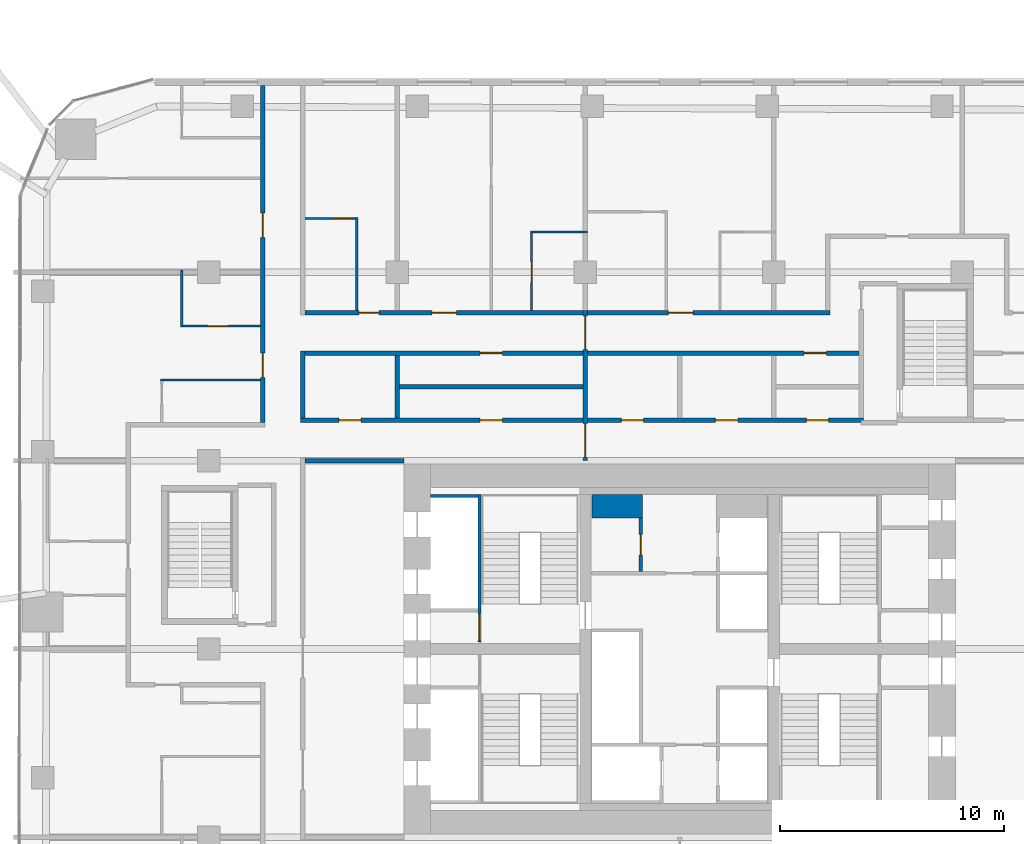
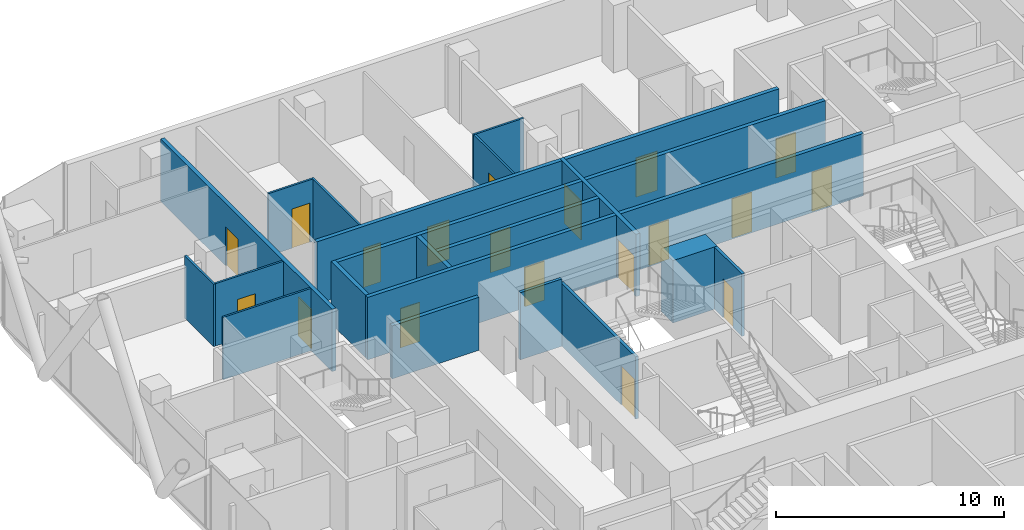
# One storey, part 33 of 38: 20 walls, 19 doors, 19 openings.
"""IFC4 building model written with IfcOpenShell, lengths in metres."""

import ifcopenshell
import ifcopenshell.guid

model = None  # the IFC model being written
_history = None  # IfcOwnerHistory: only IFC2X3 demands one
_inside = {}  # id of a spatial element -> (the spatial element, [elements in it])
_under = {}  # id of a project, library or spatial element -> (it, [spatial elements below it])
_declared = {}  # id of a project -> (the project, [libraries it declares])
_typed = {}  # id of a type object -> (the type object, [elements of that type])
_made_of = {}  # id of a material, layer set ... -> (it, [elements and type objects made of it])


def new_model(schema):
    """Start an empty IFC model of exactly this schema.

    Asked for "IFC4X3", IfcOpenShell would pick the latest addendum, in which some entities
    have other attributes; the version numbers below select the first issue.
    IFC2X3 requires an IfcOwnerHistory on every rooted entity: one is made here for all.
    """
    global model, _history
    if schema == "IFC4X3":
        model = ifcopenshell.file(schema_version=(4, 3, 0, 0))
    else:
        model = ifcopenshell.file(schema=schema)
    _inside.clear()
    _under.clear()
    _declared.clear()
    _typed.clear()
    _made_of.clear()
    _history = None
    if model.schema == "IFC2X3":
        org = make("IfcOrganization", Name="unknown")
        user = make(
            "IfcPersonAndOrganization",
            ThePerson=make("IfcPerson", FamilyName="unknown"),
            TheOrganization=org,
        )
        app = make(
            "IfcApplication",
            ApplicationDeveloper=org,
            Version="unknown",
            ApplicationFullName="unknown",
            ApplicationIdentifier="unknown",
        )
        _history = make(
            "IfcOwnerHistory",
            OwningUser=user,
            OwningApplication=app,
            ChangeAction="ADDED",
            CreationDate=0,
        )
    return model


def make(cls, **values):
    """One entity of the class cls with the attributes given. An attribute that is None is left unset."""
    return model.create_entity(
        cls, **{name: value for name, value in values.items() if value is not None}
    )


def rooted(cls, **values):
    """An entity with a GlobalId (a new one), such as an element, a storey or a relation."""
    return make(cls, GlobalId=ifcopenshell.guid.new(), OwnerHistory=_history, **values)


def si_unit(unit_type, name, prefix=None):
    """IfcSIUnit, for example si_unit("LENGTHUNIT", "METRE", prefix="MILLI")."""
    return make("IfcSIUnit", UnitType=unit_type, Prefix=prefix, Name=name)


def assignment(units):
    """IfcUnitAssignment: the units of a project."""
    return None if units is None else make("IfcUnitAssignment", Units=units)


def point(xyz):
    """IfcCartesianPoint."""
    return None if xyz is None else make("IfcCartesianPoint", Coordinates=xyz)


def direction(xyz):
    """IfcDirection."""
    return None if xyz is None else make("IfcDirection", DirectionRatios=xyz)


def frame(location, z_axis=None, x_axis=None):
    """IfcAxis2Placement3D, a coordinate frame: its origin and axes. An axis left out is left unset."""
    return make(
        "IfcAxis2Placement3D",
        Location=point(location),
        Axis=direction(z_axis),
        RefDirection=direction(x_axis),
    )


def frame_2d(location, x_axis=None):
    """IfcAxis2Placement2D, a coordinate frame in the plane: its origin and x axis."""
    return make(
        "IfcAxis2Placement2D", Location=point(location), RefDirection=direction(x_axis)
    )


def origin():
    """The frame at (0, 0, 0) with its axes left unset."""
    return frame((0.0, 0.0, 0.0))


def place(relative_to, where):
    """IfcLocalPlacement: puts the frame where relative to a parent placement (None: the world)."""
    return make(
        "IfcLocalPlacement", PlacementRelTo=relative_to, RelativePlacement=where
    )


def context(
    kind, dimensions, precision=None, world=None, true_north=None, identifier=None
):
    """IfcGeometricRepresentationContext, for example the 3D "Model" context."""
    return make(
        "IfcGeometricRepresentationContext",
        ContextIdentifier=identifier,
        ContextType=kind,
        CoordinateSpaceDimension=dimensions,
        Precision=precision,
        WorldCoordinateSystem=world,
        TrueNorth=true_north,
    )


def subcontext(parent, identifier, kind, view, scale=None):
    """IfcGeometricRepresentationSubContext, for example "Body" below "Model"."""
    return make(
        "IfcGeometricRepresentationSubContext",
        ContextIdentifier=identifier,
        ContextType=kind,
        ParentContext=parent,
        TargetScale=scale,
        TargetView=view,
    )


def project(units=None, contexts=None):
    """IfcProject with its units and contexts."""
    return rooted(
        "IfcProject",
        Name="project",
        RepresentationContexts=contexts,
        UnitsInContext=assignment(units),
    )


def spatial(cls, under=None, at=None, **own):
    """A site, building, storey or space (cls), placed at a placement, below another one or the project."""
    s = rooted(cls, ObjectPlacement=at, **own)
    if under is not None:
        _under.setdefault(under.id(), (under, []))[1].append(s)
    return s


def profile(cls, at=None, kind="AREA", **sizes):
    """A parametric profile (cls). Its sizes go by their IFC names, for example OverallWidth=200.0."""
    return make(cls, ProfileType=kind, Position=at, **sizes)


def rectangle(**sizes):
    """IfcRectangleProfileDef."""
    return profile("IfcRectangleProfileDef", **sizes)


def extrude(swept, where, along, depth):
    """IfcExtrudedAreaSolid: the profile swept, set in the frame where, extruded along a direction by depth."""
    return make(
        "IfcExtrudedAreaSolid",
        SweptArea=swept,
        Position=where,
        ExtrudedDirection=direction(along),
        Depth=depth,
    )


def shape(context_of_items, identifier, shape_type, items):
    """IfcShapeRepresentation: the items that make up one representation, for example the "Body"."""
    return make(
        "IfcShapeRepresentation",
        ContextOfItems=context_of_items,
        RepresentationIdentifier=identifier,
        RepresentationType=shape_type,
        Items=items,
    )


def material(Name=None, Category=None):
    """IfcMaterial."""
    return make("IfcMaterial", Name=Name, Category=Category)


def layer(
    of_material, thickness, ventilated=None, Name=None, Category=None, Priority=None
):
    """IfcMaterialLayer: one layer of a wall or slab, of a material (None: an air gap)."""
    return make(
        "IfcMaterialLayer",
        Material=of_material,
        LayerThickness=thickness,
        IsVentilated=ventilated,
        Name=Name,
        Category=Category,
        Priority=Priority,
    )


def layer_set(layers, Name=None):
    """IfcMaterialLayerSet."""
    return make("IfcMaterialLayerSet", MaterialLayers=layers, LayerSetName=Name)


def made_of(thing, what):
    """Note that an element or type object is made of a material, layer set ...; save() writes the relation."""
    if what is not None:
        _made_of.setdefault(what.id(), (what, []))[1].append(thing)
    return thing


def type_object(cls, material=None, **own):
    """A type object (cls), such as IfcWallType, which elements share."""
    return made_of(rooted(cls, **own), material)


def element(
    cls,
    number,
    at=None,
    inside=None,
    cuts=None,
    type_object=None,
    material=None,
    context=None,
    identifier="Body",
    shape_type=None,
    held_by="IfcProductDefinitionShape",
    body=None,
    shapes=None,
    **own,
):
    """One element of the class cls, such as IfcWall. Its Tag is "e" and its number.

    at: its placement. inside: the storey or other place that contains it. cuts: it is an
    opening in that element (IfcRelVoidsElement). A single representation is given by context,
    identifier, shape_type and body (its items); several are given by shapes. held_by: the class
    of the entity that holds the representations. save() writes the other relations.
    """
    e = rooted(cls, Tag="e%d" % number, ObjectPlacement=at, **own)
    if body is not None:
        shapes = [shape(context, identifier, shape_type, body)]
    if shapes is not None:
        e.Representation = make(held_by, Representations=shapes)
    if inside is not None:
        _inside.setdefault(inside.id(), (inside, []))[1].append(e)
    if cuts is not None:
        rooted(
            "IfcRelVoidsElement", RelatingBuildingElement=cuts, RelatedOpeningElement=e
        )
    if type_object is not None:
        _typed.setdefault(type_object.id(), (type_object, []))[1].append(e)
    return made_of(e, material)


def fill(opening, filler):
    """IfcRelFillsElement: the door or window that sits in an opening."""
    return rooted(
        "IfcRelFillsElement",
        RelatingOpeningElement=opening,
        RelatedBuildingElement=filler,
    )


def aggregate(whole, parts):
    """IfcRelAggregates: a whole, such as a stair, and the parts it consists of."""
    return rooted("IfcRelAggregates", RelatingObject=whole, RelatedObjects=parts)


def save(model, path):
    """Write the relations noted so far, then the file.

    IfcRelAggregates (storeys below a building ...), IfcRelContainedInSpatialStructure (elements
    in a storey), IfcRelDefinesByType, IfcRelAssociatesMaterial and IfcRelDeclares: one each for
    every whole, place, type object, material and project.
    """
    for whole, parts in _under.values():
        aggregate(whole, parts)
    for where, things in _inside.values():
        rooted(
            "IfcRelContainedInSpatialStructure",
            RelatedElements=things,
            RelatingStructure=where,
        )
    for kind, things in _typed.values():
        rooted("IfcRelDefinesByType", RelatedObjects=things, RelatingType=kind)
    for what, things in _made_of.values():
        rooted("IfcRelAssociatesMaterial", RelatedObjects=things, RelatingMaterial=what)
    for by, libraries in _declared.values():
        rooted("IfcRelDeclares", RelatingContext=by, RelatedDefinitions=libraries)
    model.write(path)


model = new_model("IFC4")

# Units and contexts
model_context = context("Model", 3, precision=1e-05, world=origin(), true_north=direction((0.0, 1.0)))
body_context = subcontext(model_context, "Body", "Model", "MODEL_VIEW")
ifc_project = project(units=[si_unit("LENGTHUNIT", "METRE"), si_unit("AREAUNIT", "SQUARE_METRE"), si_unit("VOLUMEUNIT", "CUBIC_METRE"), si_unit("PLANEANGLEUNIT", "RADIAN"), si_unit("MASSUNIT", "GRAM", prefix="KILO")], contexts=[model_context])

# Site, building, storey
site_placement = place(None, origin())
site = spatial("IfcSite", under=ifc_project, at=site_placement, CompositionType="ELEMENT")
building_placement = place(site_placement, origin())
building = spatial("IfcBuilding", under=site, at=building_placement, Name="Marenta Gate Hotel Tower", CompositionType="ELEMENT")
storey_placement = place(building_placement, frame((0.0, 0.0, 68.89990234375)))
storey = spatial("IfcBuildingStorey", under=building, at=storey_placement, Name="L15", CompositionType="ELEMENT", Elevation=68.89990234375)

# Wall, openings, doors
ifc_material_1 = material(Name="Concrete blockwork", Category="masonry")
ifc_layer_1 = layer(ifc_material_1, 0.199951171875)
ifc_layer_set_1 = layer_set([ifc_layer_1], Name="Concrete blockwork")
wall_type_1 = type_object("IfcWallType", Name="Compartment wall 200 REI 180", PredefinedType="PARTITIONING", material=ifc_layer_set_1)
wall_1_placement = place(storey_placement, frame((-4.199951171875, 16.800048828125, 0.0), z_axis=(0.0, 0.0, 1.0), x_axis=(0.0, 1.0, 0.0)))
wall_1 = element("IfcWall", 1, at=wall_1_placement, inside=storey, type_object=wall_type_1, Name="L15-PTN-W081", PredefinedType="PARTITIONING", context=body_context, shape_type="SweptSolid", body=[
    extrude(rectangle(XDim=6.699951171875, YDim=0.199951171875, at=frame_2d((3.35009765625, 0.0))), origin(), (0.0, 0.0, 1.0), 3.340087890625),
])
opening_1_placement = place(wall_1_placement, frame((0.14990234375, 0.0, 0.0)))
opening_1 = element("IfcOpeningElement", 2, at=opening_1_placement, cuts=wall_1, Name="Opening G05-FD1", PredefinedType="OPENING", context=body_context, shape_type="SweptSolid", body=[
    extrude(rectangle(XDim=1.5, YDim=2.10009765625, at=frame_2d((0.75, 1.050048828125))), frame((0.0, 0.10009765625, 0.0), z_axis=(0.0, -1.0, 0.0), x_axis=(1.0, 0.0, 0.0)), (0.0, 0.0, 1.0), 0.199951171875),
])
opening_2_placement = place(wall_1_placement, frame((4.949951171875, 0.0, 0.0)))
opening_2 = element("IfcOpeningElement", 3, at=opening_2_placement, cuts=wall_1, Name="Opening G05-FD2", PredefinedType="OPENING", context=body_context, shape_type="SweptSolid", body=[
    extrude(rectangle(XDim=1.5, YDim=2.10009765625, at=frame_2d((0.75, 1.050048828125))), frame((0.0, 0.10009765625, 0.0), z_axis=(0.0, -1.0, 0.0), x_axis=(1.0, 0.0, 0.0)), (0.0, 0.0, 1.0), 0.199951171875),
])
ifc_material_2 = material(Name="Hollow steel door set", Category="steel")
door_type_1 = type_object("IfcDoorType", Name="Compartment fire door 1500x2100 EI 60", OperationType="DOUBLE_DOOR_DOUBLE_SWING", PredefinedType="DOOR", material=ifc_material_2)
door_1_placement = place(opening_1_placement, origin())
door_1 = element("IfcDoor", 4, at=door_1_placement, inside=storey, type_object=door_type_1, Name="L15-PD-FD01", OperationType="DOUBLE_DOOR_DOUBLE_SWING", OverallHeight=2.10009765625, OverallWidth=1.5, PredefinedType="DOOR", context=body_context, shape_type="SweptSolid", body=[
    extrude(rectangle(XDim=1.5, YDim=2.10009765625, at=frame_2d((0.75, 1.050048828125))), frame((0.0, 0.02490234375, 0.0), z_axis=(0.0, -1.0, 0.0), x_axis=(1.0, 0.0, 0.0)), (0.0, 0.0, 1.0), 0.050048828125),
])
fill(opening_1, door_1)
door_2_placement = place(opening_2_placement, origin())
door_2 = element("IfcDoor", 5, at=door_2_placement, inside=storey, type_object=door_type_1, Name="L15-PD-FD02", OperationType="DOUBLE_DOOR_DOUBLE_SWING", OverallHeight=2.10009765625, OverallWidth=1.5, PredefinedType="DOOR", context=body_context, shape_type="SweptSolid", body=[
    extrude(rectangle(XDim=1.5, YDim=2.10009765625, at=frame_2d((0.75, 1.050048828125))), frame((0.0, 0.02490234375, 0.0), z_axis=(0.0, -1.0, 0.0), x_axis=(1.0, 0.0, 0.0)), (0.0, 0.0, 1.0), 0.050048828125),
])
fill(opening_2, door_2)

# Walls
ifc_material_3 = material(Name="Concrete blockwork", Category="masonry")
ifc_layer_2 = layer(ifc_material_3, 0.199951171875)
ifc_layer_set_2 = layer_set([ifc_layer_2], Name="Concrete blockwork")
wall_type_2 = type_object("IfcWallType", Name="Core boundary wall 200 REI 180", PredefinedType="PARTITIONING", material=ifc_layer_set_2)
wall_2_placement = place(storey_placement, frame((-16.699951171875, 16.800048828125, 0.0), z_axis=(0.0, 0.0, 1.0), x_axis=(1.0, 0.0, 0.0)))
element("IfcWall", 6, at=wall_2_placement, inside=storey, type_object=wall_type_2, Name="L15-CP-EW-WN", PredefinedType="PARTITIONING", context=body_context, shape_type="SweptSolid", body=[
    extrude(rectangle(XDim=4.39990234375, YDim=0.199951171875, at=frame_2d((2.199951171875, 0.0))), origin(), (0.0, 0.0, 1.0), 2.840087890625),
])
ifc_material_4 = material(Name="Concrete blockwork", Category="masonry")
ifc_layer_3 = layer(ifc_material_4, 1.050048828125)
ifc_layer_set_3 = layer_set([ifc_layer_3], Name="Concrete blockwork")
wall_type_3 = type_object("IfcWallType", Name="Core room partition 1050 REI 180", PredefinedType="PARTITIONING", material=ifc_layer_set_3)
wall_3_placement = place(storey_placement, frame((-3.89990234375, 14.77490234375, 0.0), z_axis=(0.0, 0.0, 1.0), x_axis=(1.0, 0.0, 0.0)))
element("IfcWall", 7, at=wall_3_placement, inside=storey, type_object=wall_type_3, Name="L15-CP-CW-W-riser-N", PredefinedType="PARTITIONING", context=body_context, shape_type="SweptSolid", body=[
    extrude(rectangle(XDim=2.25, YDim=1.050048828125, at=frame_2d((1.125, 0.0))), origin(), (0.0, 0.0, 1.0), 3.340087890625),
])

# Wall, opening, door
ifc_material_5 = material(Name="Concrete blockwork", Category="masonry")
ifc_layer_4 = layer(ifc_material_5, 0.14990234375)
ifc_layer_set_4 = layer_set([ifc_layer_4], Name="Concrete blockwork")
wall_type_4 = type_object("IfcWallType", Name="Core room partition 150 REI 180", PredefinedType="PARTITIONING", material=ifc_layer_set_4)
wall_4_placement = place(storey_placement, frame((-1.72509765625, 11.85009765625, 0.0), z_axis=(0.0, 0.0, 1.0), x_axis=(0.0, 1.0, 0.0)))
wall_4 = element("IfcWall", 8, at=wall_4_placement, inside=storey, type_object=wall_type_4, Name="L15-CP-CW-W-riser-front", PredefinedType="PARTITIONING", context=body_context, shape_type="SweptSolid", body=[
    extrude(rectangle(XDim=2.39990234375, YDim=0.14990234375, at=frame_2d((1.199951171875, 0.0))), origin(), (0.0, 0.0, 1.0), 3.340087890625),
])
opening_3_placement = place(wall_4_placement, frame((0.75, 0.0, 0.0)))
opening_3 = element("IfcOpeningElement", 9, at=opening_3_placement, cuts=wall_4, Name="Opening RD-CRISER", PredefinedType="OPENING", context=body_context, shape_type="SweptSolid", body=[
    extrude(rectangle(XDim=0.89990234375, YDim=2.10009765625, at=frame_2d((0.449951171875, 1.050048828125))), frame((0.0, 0.074951171875, 0.0), z_axis=(0.0, -1.0, 0.0), x_axis=(1.0, 0.0, 0.0)), (0.0, 0.0, 1.0), 0.14990234375),
])
ifc_material_6 = material(Name="Steel", Category="steel")
door_type_2 = type_object("IfcDoorType", Name="Core riser door 900x2100 FD60", OperationType="SINGLE_SWING_LEFT", PredefinedType="DOOR", material=ifc_material_6)
door_3_placement = place(opening_3_placement, origin())
door_3 = element("IfcDoor", 10, at=door_3_placement, inside=storey, type_object=door_type_2, Name="RD-CRISER", OperationType="SINGLE_SWING_LEFT", OverallHeight=2.10009765625, OverallWidth=0.89990234375, PredefinedType="DOOR", context=body_context, shape_type="SweptSolid", body=[
    extrude(rectangle(XDim=0.89990234375, YDim=2.10009765625, at=frame_2d((0.449951171875, 1.050048828125))), frame((0.0, 0.02490234375, 0.0), z_axis=(0.0, -1.0, 0.0), x_axis=(1.0, 0.0, 0.0)), (0.0, 0.0, 1.0), 0.050048828125),
])
fill(opening_3, door_3)

# Wall
ifc_material_7 = material(Name="Concrete C40", Category="concrete")
ifc_layer_5 = layer(ifc_material_7, 0.14990234375)
ifc_layer_set_5 = layer_set([ifc_layer_5], Name="Concrete C40")
wall_type_5 = type_object("IfcWallType", Name="Core shaft wall 150 REI 180", PredefinedType="SHEAR", material=ifc_layer_set_5)
wall_5_placement = place(storey_placement, frame((-11.10009765625, 15.22509765625, 0.0), z_axis=(0.0, 0.0, 1.0), x_axis=(1.0, 0.0, 0.0)))
element("IfcWall", 11, at=wall_5_placement, inside=storey, type_object=wall_type_5, Name="L15-SHF-SW-WN-5", PredefinedType="SHEAR", context=body_context, shape_type="SweptSolid", body=[
    extrude(rectangle(XDim=2.10009765625, YDim=0.14990234375, at=frame_2d((1.050048828125, 0.0))), origin(), (0.0, 0.0, 1.0), 3.60009765625),
])

# Wall, opening, door
ifc_material_8 = material(Name="Concrete C40", Category="concrete")
ifc_layer_6 = layer(ifc_material_8, 0.14990234375)
ifc_layer_set_6 = layer_set([ifc_layer_6], Name="Concrete C40")
wall_type_6 = type_object("IfcWallType", Name="Core stair enclosure wall 150 REI 180", PredefinedType="SHEAR", material=ifc_layer_set_6)
wall_6_placement = place(storey_placement, frame((-8.925048828125, 8.699951171875, 0.0), z_axis=(0.0, 0.0, 1.0), x_axis=(0.0, 1.0, 0.0)))
wall_6 = element("IfcWall", 12, at=wall_6_placement, inside=storey, type_object=wall_type_6, Name="L15-SHF-SW-WN-3", PredefinedType="SHEAR", context=body_context, shape_type="SweptSolid", body=[
    extrude(rectangle(XDim=6.60009765625, YDim=0.14990234375, at=frame_2d((3.300048828125, 0.0))), origin(), (0.0, 0.0, 1.0), 3.340087890625),
])
opening_4_placement = place(wall_6_placement, frame((0.074951171875, 0.0, 0.0)))
opening_4 = element("IfcOpeningElement", 13, at=opening_4_placement, cuts=wall_6, Name="Opening SD-WN", PredefinedType="OPENING", context=body_context, shape_type="SweptSolid", body=[
    extrude(rectangle(XDim=1.199951171875, YDim=2.10009765625, at=frame_2d((0.60009765625, 1.050048828125))), frame((0.0, 0.074951171875, 0.0), z_axis=(0.0, -1.0, 0.0), x_axis=(1.0, 0.0, 0.0)), (0.0, 0.0, 1.0), 0.14990234375),
])
ifc_material_9 = material(Name="Steel", Category="steel")
door_type_3 = type_object("IfcDoorType", Name="Core stair door 1200x2100 FD60", OperationType="SINGLE_SWING_LEFT", PredefinedType="DOOR", material=ifc_material_9)
door_4_placement = place(opening_4_placement, origin())
door_4 = element("IfcDoor", 14, at=door_4_placement, inside=storey, type_object=door_type_3, Name="SD-WN", OperationType="SINGLE_SWING_LEFT", OverallHeight=2.10009765625, OverallWidth=1.199951171875, PredefinedType="DOOR", context=body_context, shape_type="SweptSolid", body=[
    extrude(rectangle(XDim=1.199951171875, YDim=2.10009765625, at=frame_2d((0.60009765625, 1.050048828125))), frame((0.0, 0.02490234375, 0.0), z_axis=(0.0, -1.0, 0.0), x_axis=(1.0, 0.0, 0.0)), (0.0, 0.0, 1.0), 0.050048828125),
])
fill(opening_4, door_4)

# Wall
ifc_material_10 = material(Name="Concrete blockwork", Category="masonry")
ifc_layer_7 = layer(ifc_material_10, 0.199951171875)
ifc_layer_set_7 = layer_set([ifc_layer_7], Name="Concrete blockwork")
wall_type_7 = type_object("IfcWallType", Name="Room corridor wall 200 EI 120", PredefinedType="PARTITIONING", material=ifc_layer_set_7)
wall_7_placement = place(storey_placement, frame((-16.800048828125, 18.699951171875, 0.0), z_axis=(0.0, 0.0, 1.0), x_axis=(0.0, 1.0, 0.0)))
element("IfcWall", 15, at=wall_7_placement, inside=storey, type_object=wall_type_7, Name="L15-PTN-W108", PredefinedType="PARTITIONING", context=body_context, shape_type="SweptSolid", body=[
    extrude(rectangle(XDim=3.0, YDim=0.199951171875, at=frame_2d((1.5, 0.0))), origin(), (0.0, 0.0, 1.0), 3.340087890625),
])

# Wall, openings, doors
wall_8_placement = place(storey_placement, frame((-16.89990234375, 18.60009765625, 0.0), z_axis=(0.0, 0.0, 1.0), x_axis=(1.0, 0.0, 0.0)))
wall_8 = element("IfcWall", 16, at=wall_8_placement, inside=storey, type_object=wall_type_7, Name="L15-PTN-W117", PredefinedType="PARTITIONING", context=body_context, shape_type="SweptSolid", body=[
    extrude(rectangle(XDim=25.099853515625, YDim=0.199951171875, at=frame_2d((12.5498046875, 0.0))), origin(), (0.0, 0.0, 1.0), 3.340087890625),
])
opening_5_placement = place(wall_8_placement, frame((1.699951171875, 0.0, 0.0)))
opening_5 = element("IfcOpeningElement", 17, at=opening_5_placement, cuts=wall_8, Name="Opening G05-01", PredefinedType="OPENING", context=body_context, shape_type="SweptSolid", body=[
    extrude(rectangle(XDim=1.0, YDim=2.10009765625, at=frame_2d((0.5, 1.050048828125))), frame((0.0, 0.10009765625, 0.0), z_axis=(0.0, -1.0, 0.0), x_axis=(1.0, 0.0, 0.0)), (0.0, 0.0, 1.0), 0.199951171875),
])
opening_6_placement = place(wall_8_placement, frame((8.0, 0.0, 0.0)))
opening_6 = element("IfcOpeningElement", 18, at=opening_6_placement, cuts=wall_8, Name="Opening G05-72", PredefinedType="OPENING", context=body_context, shape_type="SweptSolid", body=[
    extrude(rectangle(XDim=1.0, YDim=2.10009765625, at=frame_2d((0.5, 1.050048828125))), frame((0.0, 0.10009765625, 0.0), z_axis=(0.0, -1.0, 0.0), x_axis=(1.0, 0.0, 0.0)), (0.0, 0.0, 1.0), 0.199951171875),
])
opening_7_placement = place(wall_8_placement, frame((22.550048828125, 0.0, 0.0)))
opening_7 = element("IfcOpeningElement", 19, at=opening_7_placement, cuts=wall_8, Name="Opening G05-74", PredefinedType="OPENING", context=body_context, shape_type="SweptSolid", body=[
    extrude(rectangle(XDim=1.0, YDim=2.10009765625, at=frame_2d((0.5, 1.050048828125))), frame((0.0, 0.10009765625, 0.0), z_axis=(0.0, -1.0, 0.0), x_axis=(1.0, 0.0, 0.0)), (0.0, 0.0, 1.0), 0.199951171875),
])
opening_8_placement = place(wall_8_placement, frame((14.300048828125, 0.0, 0.0)))
opening_8 = element("IfcOpeningElement", 20, at=opening_8_placement, cuts=wall_8, Name="Opening G05-81", PredefinedType="OPENING", context=body_context, shape_type="SweptSolid", body=[
    extrude(rectangle(XDim=1.0, YDim=2.10009765625, at=frame_2d((0.5, 1.050048828125))), frame((0.0, 0.10009765625, 0.0), z_axis=(0.0, -1.0, 0.0), x_axis=(1.0, 0.0, 0.0)), (0.0, 0.0, 1.0), 0.199951171875),
])
opening_9_placement = place(wall_8_placement, frame((18.5, 0.0, 0.0)))
opening_9 = element("IfcOpeningElement", 21, at=opening_9_placement, cuts=wall_8, Name="Opening G05-82", PredefinedType="OPENING", context=body_context, shape_type="SweptSolid", body=[
    extrude(rectangle(XDim=1.0, YDim=2.10009765625, at=frame_2d((0.5, 1.050048828125))), frame((0.0, 0.10009765625, 0.0), z_axis=(0.0, -1.0, 0.0), x_axis=(1.0, 0.0, 0.0)), (0.0, 0.0, 1.0), 0.199951171875),
])
ifc_material_11 = material(Name="Timber door leaf", Category="wood")
door_type_4 = type_object("IfcDoorType", Name="Room amenity door 1000x2100 EI 60", OperationType="NOTDEFINED", PredefinedType="DOOR", material=ifc_material_11)
door_5_placement = place(opening_6_placement, origin())
door_5 = element("IfcDoor", 22, at=door_5_placement, inside=storey, type_object=door_type_4, Name="L15-PD-D072", OperationType="SINGLE_SWING_RIGHT", OverallHeight=2.10009765625, OverallWidth=1.0, PredefinedType="DOOR", context=body_context, shape_type="SweptSolid", body=[
    extrude(rectangle(XDim=1.0, YDim=2.10009765625, at=frame_2d((0.5, 1.050048828125))), frame((0.0, 0.02490234375, 0.0), z_axis=(0.0, -1.0, 0.0), x_axis=(1.0, 0.0, 0.0)), (0.0, 0.0, 1.0), 0.050048828125),
])
fill(opening_6, door_5)
door_6_placement = place(opening_7_placement, origin())
door_6 = element("IfcDoor", 23, at=door_6_placement, inside=storey, type_object=door_type_4, Name="L15-PD-D074", OperationType="SINGLE_SWING_RIGHT", OverallHeight=2.10009765625, OverallWidth=1.0, PredefinedType="DOOR", context=body_context, shape_type="SweptSolid", body=[
    extrude(rectangle(XDim=1.0, YDim=2.10009765625, at=frame_2d((0.5, 1.050048828125))), frame((0.0, 0.02490234375, 0.0), z_axis=(0.0, -1.0, 0.0), x_axis=(1.0, 0.0, 0.0)), (0.0, 0.0, 1.0), 0.050048828125),
])
fill(opening_7, door_6)
door_7_placement = place(opening_8_placement, origin())
door_7 = element("IfcDoor", 24, at=door_7_placement, inside=storey, type_object=door_type_4, Name="L15-PD-D081", OperationType="SINGLE_SWING_LEFT", OverallHeight=2.10009765625, OverallWidth=1.0, PredefinedType="DOOR", context=body_context, shape_type="SweptSolid", body=[
    extrude(rectangle(XDim=1.0, YDim=2.10009765625, at=frame_2d((0.5, 1.050048828125))), frame((0.0, 0.02490234375, 0.0), z_axis=(0.0, -1.0, 0.0), x_axis=(1.0, 0.0, 0.0)), (0.0, 0.0, 1.0), 0.050048828125),
])
fill(opening_8, door_7)
door_8_placement = place(opening_9_placement, origin())
door_8 = element("IfcDoor", 25, at=door_8_placement, inside=storey, type_object=door_type_4, Name="L15-PD-D082", OperationType="SINGLE_SWING_RIGHT", OverallHeight=2.10009765625, OverallWidth=1.0, PredefinedType="DOOR", context=body_context, shape_type="SweptSolid", body=[
    extrude(rectangle(XDim=1.0, YDim=2.10009765625, at=frame_2d((0.5, 1.050048828125))), frame((0.0, 0.02490234375, 0.0), z_axis=(0.0, -1.0, 0.0), x_axis=(1.0, 0.0, 0.0)), (0.0, 0.0, 1.0), 0.050048828125),
])
fill(opening_9, door_8)
ifc_material_12 = material(Name="Hollow steel door set", Category="steel")
door_type_5 = type_object("IfcDoorType", Name="Room service door 1000x2100 EI 60", OperationType="NOTDEFINED", PredefinedType="DOOR", material=ifc_material_12)
door_9_placement = place(opening_5_placement, origin())
door_9 = element("IfcDoor", 26, at=door_9_placement, inside=storey, type_object=door_type_5, Name="L15-PD-D001", OperationType="SINGLE_SWING_RIGHT", OverallHeight=2.10009765625, OverallWidth=1.0, PredefinedType="DOOR", context=body_context, shape_type="SweptSolid", body=[
    extrude(rectangle(XDim=1.0, YDim=2.10009765625, at=frame_2d((0.5, 1.050048828125))), frame((0.0, 0.02490234375, 0.0), z_axis=(0.0, -1.0, 0.0), x_axis=(1.0, 0.0, 0.0)), (0.0, 0.0, 1.0), 0.050048828125),
])
fill(opening_5, door_9)

wall_9_placement = place(storey_placement, frame((-16.699951171875, 21.60009765625, 0.0), z_axis=(0.0, 0.0, 1.0), x_axis=(1.0, 0.0, 0.0)))
wall_9 = element("IfcWall", 27, at=wall_9_placement, inside=storey, type_object=wall_type_7, Name="L15-PTN-W127", PredefinedType="PARTITIONING", context=body_context, shape_type="SweptSolid", body=[
    extrude(rectangle(XDim=24.699951171875, YDim=0.199951171875, at=frame_2d((12.35009765625, 0.0))), origin(), (0.0, 0.0, 1.0), 3.340087890625),
])
opening_10_placement = place(wall_9_placement, frame((7.800048828125, 0.0, 0.0)))
opening_10 = element("IfcOpeningElement", 28, at=opening_10_placement, cuts=wall_9, Name="Opening G05-73", PredefinedType="OPENING", context=body_context, shape_type="SweptSolid", body=[
    extrude(rectangle(XDim=1.0, YDim=2.10009765625, at=frame_2d((0.5, 1.050048828125))), frame((0.0, 0.10009765625, 0.0), z_axis=(0.0, -1.0, 0.0), x_axis=(1.0, 0.0, 0.0)), (0.0, 0.0, 1.0), 0.199951171875),
])
opening_11_placement = place(wall_9_placement, frame((22.25, 0.0, 0.0)))
opening_11 = element("IfcOpeningElement", 29, at=opening_11_placement, cuts=wall_9, Name="Opening G05-75", PredefinedType="OPENING", context=body_context, shape_type="SweptSolid", body=[
    extrude(rectangle(XDim=1.0, YDim=2.10009765625, at=frame_2d((0.5, 1.050048828125))), frame((0.0, 0.10009765625, 0.0), z_axis=(0.0, -1.0, 0.0), x_axis=(1.0, 0.0, 0.0)), (0.0, 0.0, 1.0), 0.199951171875),
])
door_10_placement = place(opening_10_placement, origin())
door_10 = element("IfcDoor", 30, at=door_10_placement, inside=storey, type_object=door_type_4, Name="L15-PD-D073", OperationType="SINGLE_SWING_RIGHT", OverallHeight=2.10009765625, OverallWidth=1.0, PredefinedType="DOOR", context=body_context, shape_type="SweptSolid", body=[
    extrude(rectangle(XDim=1.0, YDim=2.10009765625, at=frame_2d((0.5, 1.050048828125))), frame((0.0, 0.02490234375, 0.0), z_axis=(0.0, -1.0, 0.0), x_axis=(1.0, 0.0, 0.0)), (0.0, 0.0, 1.0), 0.050048828125),
])
fill(opening_10, door_10)
door_11_placement = place(opening_11_placement, origin())
door_11 = element("IfcDoor", 31, at=door_11_placement, inside=storey, type_object=door_type_4, Name="L15-PD-D075", OperationType="SINGLE_SWING_LEFT", OverallHeight=2.10009765625, OverallWidth=1.0, PredefinedType="DOOR", context=body_context, shape_type="SweptSolid", body=[
    extrude(rectangle(XDim=1.0, YDim=2.10009765625, at=frame_2d((0.5, 1.050048828125))), frame((0.0, 0.02490234375, 0.0), z_axis=(0.0, -1.0, 0.0), x_axis=(1.0, 0.0, 0.0)), (0.0, 0.0, 1.0), 0.050048828125),
])
fill(opening_11, door_11)

ifc_material_13 = material(Name="Gypsum board on steel stud", Category="steel")
ifc_layer_8 = layer(ifc_material_13, 0.199951171875)
ifc_layer_set_8 = layer_set([ifc_layer_8], Name="Gypsum board on steel stud")
wall_type_8 = type_object("IfcWallType", Name="Room corridor wall 200 EI 60", PredefinedType="PARTITIONING", material=ifc_layer_set_8)
wall_10_placement = place(storey_placement, frame((-18.60009765625, 18.5, 0.0), z_axis=(0.0, 0.0, 1.0), x_axis=(0.0, 1.0, 0.0)))
wall_10 = element("IfcWall", 32, at=wall_10_placement, inside=storey, type_object=wall_type_8, Name="L15-PTN-W116", PredefinedType="PARTITIONING", context=body_context, shape_type="SweptSolid", body=[
    extrude(rectangle(XDim=15.0400390625, YDim=0.199951171875, at=frame_2d((7.52001953125, 0.0))), origin(), (0.0, 0.0, 1.0), 3.340087890625),
])
opening_12_placement = place(wall_10_placement, frame((2.0, 0.0, 0.0)))
opening_12 = element("IfcOpeningElement", 33, at=opening_12_placement, cuts=wall_10, Name="Opening G05-60", PredefinedType="OPENING", context=body_context, shape_type="SweptSolid", body=[
    extrude(rectangle(XDim=1.10009765625, YDim=2.10009765625, at=frame_2d((0.550048828125, 1.050048828125))), frame((0.0, 0.10009765625, 0.0), z_axis=(0.0, -1.0, 0.0), x_axis=(1.0, 0.0, 0.0)), (0.0, 0.0, 1.0), 0.199951171875),
])
opening_13_placement = place(wall_10_placement, frame((8.25, 0.0, 0.0)))
opening_13 = element("IfcOpeningElement", 34, at=opening_13_placement, cuts=wall_10, Name="Opening G05-63", PredefinedType="OPENING", context=body_context, shape_type="SweptSolid", body=[
    extrude(rectangle(XDim=1.10009765625, YDim=2.10009765625, at=frame_2d((0.550048828125, 1.050048828125))), frame((0.0, 0.10009765625, 0.0), z_axis=(0.0, -1.0, 0.0), x_axis=(1.0, 0.0, 0.0)), (0.0, 0.0, 1.0), 0.199951171875),
])
ifc_material_14 = material(Name="Timber door leaf", Category="wood")
door_type_6 = type_object("IfcDoorType", Name="Guest room door 1100x2100 EI 30", OperationType="NOTDEFINED", PredefinedType="DOOR", material=ifc_material_14)
door_12_placement = place(opening_12_placement, origin())
door_12 = element("IfcDoor", 35, at=door_12_placement, inside=storey, type_object=door_type_6, Name="L15-PD-D060", OperationType="SINGLE_SWING_LEFT", OverallHeight=2.10009765625, OverallWidth=1.10009765625, PredefinedType="DOOR", context=body_context, shape_type="SweptSolid", body=[
    extrude(rectangle(XDim=1.10009765625, YDim=2.10009765625, at=frame_2d((0.550048828125, 1.050048828125))), frame((0.0, 0.02490234375, 0.0), z_axis=(0.0, -1.0, 0.0), x_axis=(1.0, 0.0, 0.0)), (0.0, 0.0, 1.0), 0.050048828125),
])
fill(opening_12, door_12)
door_13_placement = place(opening_13_placement, origin())
door_13 = element("IfcDoor", 36, at=door_13_placement, inside=storey, type_object=door_type_6, Name="L15-PD-D063", OperationType="SINGLE_SWING_RIGHT", OverallHeight=2.10009765625, OverallWidth=1.10009765625, PredefinedType="DOOR", context=body_context, shape_type="SweptSolid", body=[
    extrude(rectangle(XDim=1.10009765625, YDim=2.10009765625, at=frame_2d((0.550048828125, 1.050048828125))), frame((0.0, 0.02490234375, 0.0), z_axis=(0.0, -1.0, 0.0), x_axis=(1.0, 0.0, 0.0)), (0.0, 0.0, 1.0), 0.050048828125),
])
fill(opening_13, door_13)

wall_11_placement = place(storey_placement, frame((-16.699951171875, 23.39990234375, 0.0), z_axis=(0.0, 0.0, 1.0), x_axis=(1.0, 0.0, 0.0)))
wall_11 = element("IfcWall", 37, at=wall_11_placement, inside=storey, type_object=wall_type_8, Name="L15-PTN-W137", PredefinedType="PARTITIONING", context=body_context, shape_type="SweptSolid", body=[
    extrude(rectangle(XDim=23.39990234375, YDim=0.199951171875, at=frame_2d((11.699951171875, 0.0))), origin(), (0.0, 0.0, 1.0), 3.340087890625),
])
opening_14_placement = place(wall_11_placement, frame((2.39990234375, 0.0, 0.0)))
opening_14 = element("IfcOpeningElement", 38, at=opening_14_placement, cuts=wall_11, Name="Opening G05-26", PredefinedType="OPENING", context=body_context, shape_type="SweptSolid", body=[
    extrude(rectangle(XDim=0.89990234375, YDim=2.10009765625, at=frame_2d((0.449951171875, 1.050048828125))), frame((0.0, 0.10009765625, 0.0), z_axis=(0.0, -1.0, 0.0), x_axis=(1.0, 0.0, 0.0)), (0.0, 0.0, 1.0), 0.199951171875),
])
opening_15_placement = place(wall_11_placement, frame((5.64990234375, 0.0, 0.0)))
opening_15 = element("IfcOpeningElement", 39, at=opening_15_placement, cuts=wall_11, Name="Opening G05-28", PredefinedType="OPENING", context=body_context, shape_type="SweptSolid", body=[
    extrude(rectangle(XDim=1.10009765625, YDim=2.10009765625, at=frame_2d((0.550048828125, 1.050048828125))), frame((0.0, 0.10009765625, 0.0), z_axis=(0.0, -1.0, 0.0), x_axis=(1.0, 0.0, 0.0)), (0.0, 0.0, 1.0), 0.199951171875),
])
opening_16_placement = place(wall_11_placement, frame((16.199951171875, 0.0, 0.0)))
opening_16 = element("IfcOpeningElement", 40, at=opening_16_placement, cuts=wall_11, Name="Opening G05-31", PredefinedType="OPENING", context=body_context, shape_type="SweptSolid", body=[
    extrude(rectangle(XDim=1.10009765625, YDim=2.10009765625, at=frame_2d((0.550048828125, 1.050048828125))), frame((0.0, 0.10009765625, 0.0), z_axis=(0.0, -1.0, 0.0), x_axis=(1.0, 0.0, 0.0)), (0.0, 0.0, 1.0), 0.199951171875),
])
door_14_placement = place(opening_15_placement, origin())
door_14 = element("IfcDoor", 41, at=door_14_placement, inside=storey, type_object=door_type_6, Name="L15-PD-D028", OperationType="SINGLE_SWING_LEFT", OverallHeight=2.10009765625, OverallWidth=1.10009765625, PredefinedType="DOOR", context=body_context, shape_type="SweptSolid", body=[
    extrude(rectangle(XDim=1.10009765625, YDim=2.10009765625, at=frame_2d((0.550048828125, 1.050048828125))), frame((0.0, 0.02490234375, 0.0), z_axis=(0.0, -1.0, 0.0), x_axis=(1.0, 0.0, 0.0)), (0.0, 0.0, 1.0), 0.050048828125),
])
fill(opening_15, door_14)
door_15_placement = place(opening_16_placement, origin())
door_15 = element("IfcDoor", 42, at=door_15_placement, inside=storey, type_object=door_type_6, Name="L15-PD-D031", OperationType="SINGLE_SWING_LEFT", OverallHeight=2.10009765625, OverallWidth=1.10009765625, PredefinedType="DOOR", context=body_context, shape_type="SweptSolid", body=[
    extrude(rectangle(XDim=1.10009765625, YDim=2.10009765625, at=frame_2d((0.550048828125, 1.050048828125))), frame((0.0, 0.02490234375, 0.0), z_axis=(0.0, -1.0, 0.0), x_axis=(1.0, 0.0, 0.0)), (0.0, 0.0, 1.0), 0.050048828125),
])
fill(opening_16, door_15)
ifc_material_15 = material(Name="Timber door leaf", Category="wood")
door_type_7 = type_object("IfcDoorType", Name="Guest room door 900x2100 EI 30", OperationType="NOTDEFINED", PredefinedType="DOOR", material=ifc_material_15)
door_16_placement = place(opening_14_placement, origin())
door_16 = element("IfcDoor", 43, at=door_16_placement, inside=storey, type_object=door_type_7, Name="L15-PD-D026", OperationType="SINGLE_SWING_LEFT", OverallHeight=2.10009765625, OverallWidth=0.89990234375, PredefinedType="DOOR", context=body_context, shape_type="SweptSolid", body=[
    extrude(rectangle(XDim=0.89990234375, YDim=2.10009765625, at=frame_2d((0.449951171875, 1.050048828125))), frame((0.0, 0.02490234375, 0.0), z_axis=(0.0, -1.0, 0.0), x_axis=(1.0, 0.0, 0.0)), (0.0, 0.0, 1.0), 0.050048828125),
])
fill(opening_14, door_16)

# Wall, opening, door
ifc_material_16 = material(Name="Gypsum board on steel stud", Category="steel")
ifc_layer_9 = layer(ifc_material_16, 0.10009765625)
ifc_layer_set_9 = layer_set([ifc_layer_9], Name="Gypsum board on steel stud")
wall_type_9 = type_object("IfcWallType", Name="Room partition 100", PredefinedType="PARTITIONING", material=ifc_layer_set_9)
wall_12_placement = place(storey_placement, frame((-6.60009765625, 23.5, 0.0), z_axis=(0.0, 0.0, 1.0), x_axis=(0.0, 1.0, 0.0)))
wall_12 = element("IfcWall", 44, at=wall_12_placement, inside=storey, type_object=wall_type_9, Name="L15-PTN-W088", PredefinedType="PARTITIONING", context=body_context, shape_type="SweptSolid", body=[
    extrude(rectangle(XDim=3.449951171875, YDim=0.10009765625, at=frame_2d((1.72509765625, 0.0))), origin(), (0.0, 0.0, 1.0), 3.340087890625),
])
opening_17_placement = place(wall_12_placement, frame((1.25, 0.0, 0.0)))
opening_17 = element("IfcOpeningElement", 45, at=opening_17_placement, cuts=wall_12, Name="Opening G05-30", PredefinedType="OPENING", context=body_context, shape_type="SweptSolid", body=[
    extrude(rectangle(XDim=0.89990234375, YDim=2.10009765625, at=frame_2d((0.449951171875, 1.050048828125))), frame((0.0, 0.050048828125, 0.0), z_axis=(0.0, -1.0, 0.0), x_axis=(1.0, 0.0, 0.0)), (0.0, 0.0, 1.0), 0.10009765625),
])
ifc_material_17 = material(Name="Timber door leaf", Category="wood")
door_type_8 = type_object("IfcDoorType", Name="Guest bathroom door 900x2100", OperationType="NOTDEFINED", PredefinedType="DOOR", material=ifc_material_17)
door_17_placement = place(opening_17_placement, origin())
door_17 = element("IfcDoor", 46, at=door_17_placement, inside=storey, type_object=door_type_8, Name="L15-PD-D030", OperationType="SINGLE_SWING_RIGHT", OverallHeight=2.10009765625, OverallWidth=0.89990234375, PredefinedType="DOOR", context=body_context, shape_type="SweptSolid", body=[
    extrude(rectangle(XDim=0.89990234375, YDim=2.10009765625, at=frame_2d((0.449951171875, 1.050048828125))), frame((0.0, 0.02490234375, 0.0), z_axis=(0.0, -1.0, 0.0), x_axis=(1.0, 0.0, 0.0)), (0.0, 0.0, 1.0), 0.050048828125),
])
fill(opening_17, door_17)

# Walls
wall_13_placement = place(storey_placement, frame((-14.39990234375, 23.5, 0.0), z_axis=(0.0, 0.0, 1.0), x_axis=(0.0, 1.0, 0.0)))
element("IfcWall", 47, at=wall_13_placement, inside=storey, type_object=wall_type_9, Name="L15-PTN-W103", PredefinedType="PARTITIONING", context=body_context, shape_type="SweptSolid", body=[
    extrude(rectangle(XDim=4.14990234375, YDim=0.10009765625, at=frame_2d((2.074951171875, 0.0))), origin(), (0.0, 0.0, 1.0), 3.340087890625),
])
wall_14_placement = place(storey_placement, frame((-23.14990234375, 20.39990234375, 0.0), z_axis=(0.0, 0.0, 1.0), x_axis=(1.0, 0.0, 0.0)))
element("IfcWall", 48, at=wall_14_placement, inside=storey, type_object=wall_type_9, Name="L15-PTN-W123", PredefinedType="PARTITIONING", context=body_context, shape_type="SweptSolid", body=[
    extrude(rectangle(XDim=4.449951171875, YDim=0.10009765625, at=frame_2d((2.22509765625, 0.0))), origin(), (0.0, 0.0, 1.0), 3.340087890625),
])
wall_15_placement = place(storey_placement, frame((-22.199951171875, 22.75, 0.0), z_axis=(0.0, 0.0, 1.0), x_axis=(0.0, 1.0, 0.0)))
element("IfcWall", 49, at=wall_15_placement, inside=storey, type_object=wall_type_9, Name="L15-PTN-W131", PredefinedType="PARTITIONING", context=body_context, shape_type="SweptSolid", body=[
    extrude(rectangle(XDim=2.550048828125, YDim=0.10009765625, at=frame_2d((1.27490234375, 0.0))), origin(), (0.0, 0.0, 1.0), 3.340087890625),
])

# Wall, opening, door
wall_16_placement = place(storey_placement, frame((-22.14990234375, 22.800048828125, 0.0), z_axis=(0.0, 0.0, 1.0), x_axis=(1.0, 0.0, 0.0)))
wall_16 = element("IfcWall", 50, at=wall_16_placement, inside=storey, type_object=wall_type_9, Name="L15-PTN-W133", PredefinedType="PARTITIONING", context=body_context, shape_type="SweptSolid", body=[
    extrude(rectangle(XDim=3.449951171875, YDim=0.10009765625, at=frame_2d((1.72509765625, 0.0))), origin(), (0.0, 0.0, 1.0), 3.340087890625),
])
opening_18_placement = place(wall_16_placement, frame((1.1201171875, 0.0, 0.0)))
opening_18 = element("IfcOpeningElement", 51, at=opening_18_placement, cuts=wall_16, Name="Opening G05-62", PredefinedType="OPENING", context=body_context, shape_type="SweptSolid", body=[
    extrude(rectangle(XDim=0.89990234375, YDim=2.10009765625, at=frame_2d((0.449951171875, 1.050048828125))), frame((0.0, 0.050048828125, 0.0), z_axis=(0.0, -1.0, 0.0), x_axis=(1.0, 0.0, 0.0)), (0.0, 0.0, 1.0), 0.10009765625),
])
ifc_material_18 = material(Name="Timber door leaf", Category="wood")
door_type_9 = type_object("IfcDoorType", Name="Room inner door 900x2100", OperationType="NOTDEFINED", PredefinedType="DOOR", material=ifc_material_18)
door_18_placement = place(opening_18_placement, origin())
door_18 = element("IfcDoor", 52, at=door_18_placement, inside=storey, type_object=door_type_9, Name="L15-PD-D062", OperationType="SINGLE_SWING_LEFT", OverallHeight=2.10009765625, OverallWidth=0.89990234375, PredefinedType="DOOR", context=body_context, shape_type="SweptSolid", body=[
    extrude(rectangle(XDim=0.89990234375, YDim=2.10009765625, at=frame_2d((0.449951171875, 1.050048828125))), frame((0.0, 0.02490234375, 0.0), z_axis=(0.0, -1.0, 0.0), x_axis=(1.0, 0.0, 0.0)), (0.0, 0.0, 1.0), 0.050048828125),
])
fill(opening_18, door_18)

# Wall
wall_17_placement = place(storey_placement, frame((-6.64990234375, 27.0, 0.0), z_axis=(0.0, 0.0, 1.0), x_axis=(1.0, 0.0, 0.0)))
element("IfcWall", 53, at=wall_17_placement, inside=storey, type_object=wall_type_9, Name="L15-PTN-W144", PredefinedType="PARTITIONING", context=body_context, shape_type="SweptSolid", body=[
    extrude(rectangle(XDim=2.5498046875, YDim=0.10009765625, at=frame_2d((1.27490234375, 0.0))), origin(), (0.0, 0.0, 1.0), 3.340087890625),
])

# Wall, opening, door
wall_18_placement = place(storey_placement, frame((-16.699951171875, 27.60009765625, 0.0), z_axis=(0.0, 0.0, 1.0), x_axis=(1.0, 0.0, 0.0)))
wall_18 = element("IfcWall", 54, at=wall_18_placement, inside=storey, type_object=wall_type_9, Name="L15-PTN-W146", PredefinedType="PARTITIONING", context=body_context, shape_type="SweptSolid", body=[
    extrude(rectangle(XDim=2.25, YDim=0.10009765625, at=frame_2d((1.125, 0.0))), origin(), (0.0, 0.0, 1.0), 3.340087890625),
])
opening_19_placement = place(wall_18_placement, frame((1.199951171875, 0.0, 0.0)))
opening_19 = element("IfcOpeningElement", 55, at=opening_19_placement, cuts=wall_18, Name="Opening G05-27", PredefinedType="OPENING", context=body_context, shape_type="SweptSolid", body=[
    extrude(rectangle(XDim=0.89990234375, YDim=2.10009765625, at=frame_2d((0.449951171875, 1.050048828125))), frame((0.0, 0.050048828125, 0.0), z_axis=(0.0, -1.0, 0.0), x_axis=(1.0, 0.0, 0.0)), (0.0, 0.0, 1.0), 0.10009765625),
])
door_19_placement = place(opening_19_placement, origin())
door_19 = element("IfcDoor", 56, at=door_19_placement, inside=storey, type_object=door_type_8, Name="L15-PD-D027", OperationType="SINGLE_SWING_LEFT", OverallHeight=2.10009765625, OverallWidth=0.89990234375, PredefinedType="DOOR", context=body_context, shape_type="SweptSolid", body=[
    extrude(rectangle(XDim=0.89990234375, YDim=2.10009765625, at=frame_2d((0.449951171875, 1.050048828125))), frame((0.0, 0.02490234375, 0.0), z_axis=(0.0, -1.0, 0.0), x_axis=(1.0, 0.0, 0.0)), (0.0, 0.0, 1.0), 0.050048828125),
])
fill(opening_19, door_19)

# Walls
ifc_material_19 = material(Name="Concrete blockwork", Category="masonry")
ifc_layer_10 = layer(ifc_material_19, 0.199951171875)
ifc_layer_set_10 = layer_set([ifc_layer_10], Name="Concrete blockwork")
wall_type_10 = type_object("IfcWallType", Name="Room party wall 200 EI 120", PredefinedType="PARTITIONING", material=ifc_layer_set_10)
wall_19_placement = place(storey_placement, frame((-12.60009765625, 18.699951171875, 0.0), z_axis=(0.0, 0.0, 1.0), x_axis=(0.0, 1.0, 0.0)))
element("IfcWall", 57, at=wall_19_placement, inside=storey, type_object=wall_type_10, Name="L15-PTN-W098", PredefinedType="PARTITIONING", context=body_context, shape_type="SweptSolid", body=[
    extrude(rectangle(XDim=2.800048828125, YDim=0.199951171875, at=frame_2d((1.39990234375, 0.0))), origin(), (0.0, 0.0, 1.0), 3.340087890625),
])
ifc_material_20 = material(Name="Gypsum board on steel stud", Category="steel")
ifc_layer_11 = layer(ifc_material_20, 0.199951171875)
ifc_layer_set_11 = layer_set([ifc_layer_11], Name="Gypsum board on steel stud")
wall_type_11 = type_object("IfcWallType", Name="Room party wall 200 EI 60", PredefinedType="PARTITIONING", material=ifc_layer_set_11)
wall_20_placement = place(storey_placement, frame((-12.5, 20.10009765625, 0.0), z_axis=(0.0, 0.0, 1.0), x_axis=(1.0, 0.0, 0.0)))
element("IfcWall", 58, at=wall_20_placement, inside=storey, type_object=wall_type_11, Name="L15-PTN-W120", PredefinedType="PARTITIONING", context=body_context, shape_type="SweptSolid", body=[
    extrude(rectangle(XDim=8.39990234375, YDim=0.199951171875, at=frame_2d((4.199951171875, 0.0))), origin(), (0.0, 0.0, 1.0), 3.340087890625),
])

save(model, "model.ifc")
